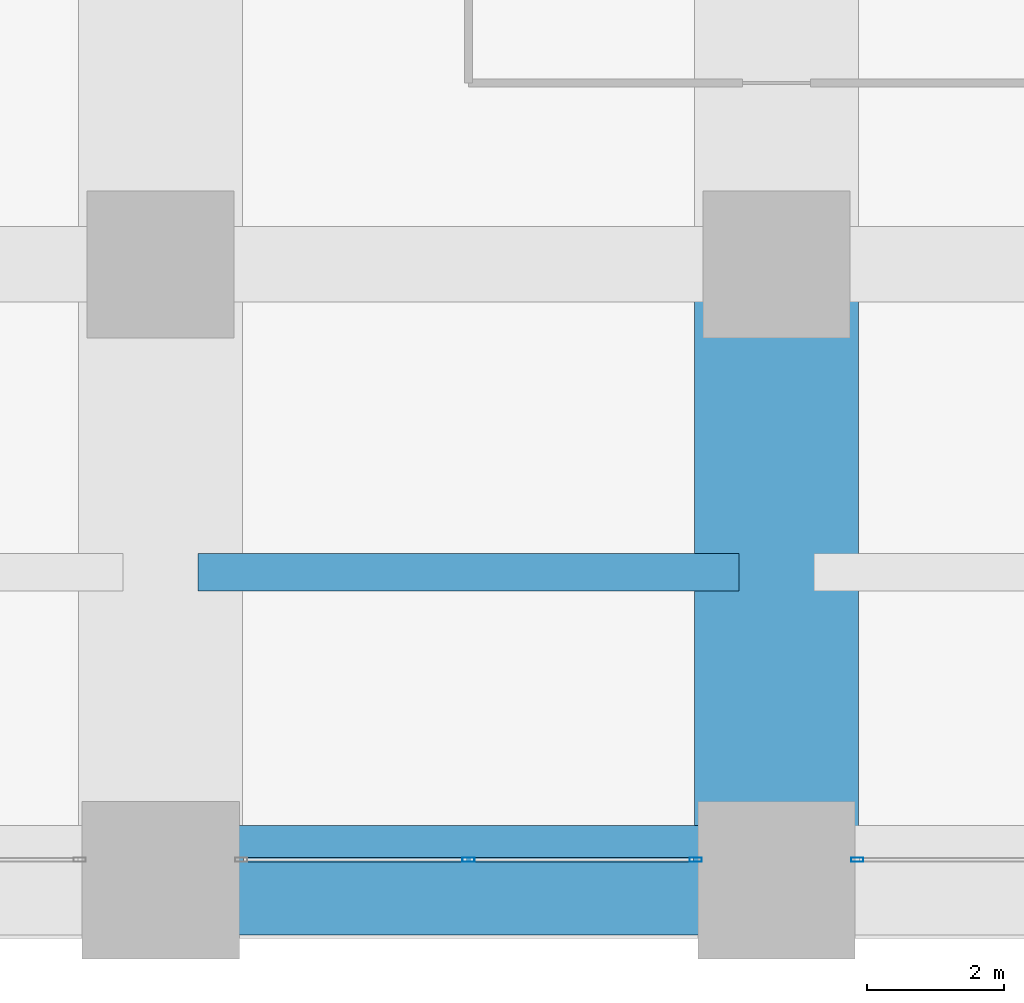
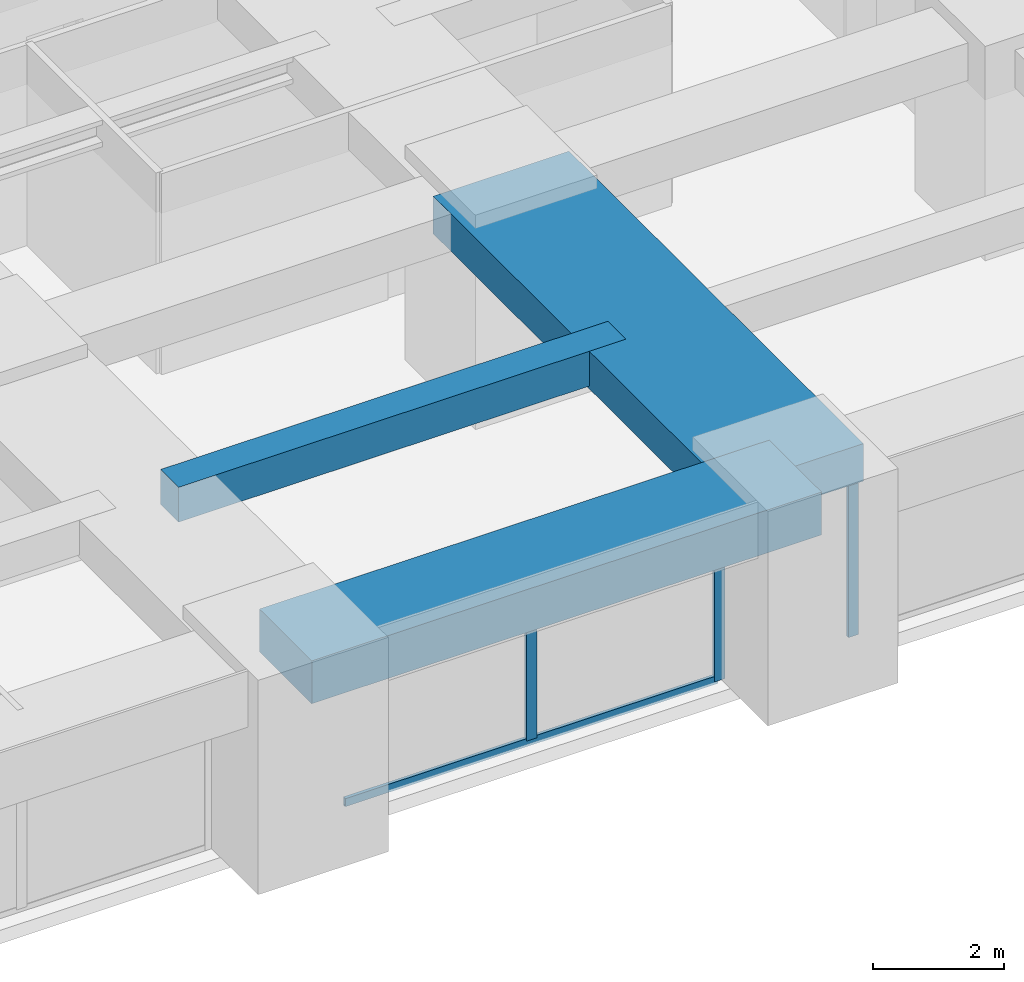
# One storey, part 13 of 44: 4 members, 3 beams, 2 elements without a shape of their own.
"""IFC4 building model written with IfcOpenShell, lengths in metres."""

from ifc_helpers import new_model, si_unit, direction, frame, origin, origin_2d, place, context, subcontext, project, spatial, rectangle, hollow_rectangle, extrude, material, material_profile, profile_set, type_object, element, aggregate, save


model = new_model("IFC4")

# Units and contexts
model_context = context("Model", 3, precision=1e-05, world=origin(), true_north=direction((0.0, 1.0)))
body_context = subcontext(model_context, "Body", "Model", "MODEL_VIEW")
ifc_project = project(units=[si_unit("LENGTHUNIT", "METRE"), si_unit("AREAUNIT", "SQUARE_METRE"), si_unit("VOLUMEUNIT", "CUBIC_METRE"), si_unit("PLANEANGLEUNIT", "RADIAN"), si_unit("MASSUNIT", "GRAM", prefix="KILO")], contexts=[model_context])

# Site, building, storey
site_placement = place(None, origin())
site = spatial("IfcSite", under=ifc_project, at=site_placement, CompositionType="ELEMENT")
building_placement = place(site_placement, origin())
building = spatial("IfcBuilding", under=site, at=building_placement, Name="Zorevar Civic Tower", CompositionType="ELEMENT")
storey_placement = place(building_placement, frame((0.0, 0.0, 63.800048828125)))
storey = spatial("IfcBuildingStorey", under=building, at=storey_placement, Name="L15", CompositionType="ELEMENT", Elevation=63.800048828125)

# Beams
ifc_material_1 = material(Name="Concrete C50/60", Category="concrete")
ifc_material_profile_1 = material_profile(ifc_material_1, rectangle(XDim=2.39990234375, YDim=0.699951171875, at=origin_2d()), Name="RC 2400x700")
ifc_profile_set_1 = profile_set([ifc_material_profile_1], Name="Concrete C50/60")
beam_type_1 = type_object("IfcBeamType", Name="Beam RC 2400x700", PredefinedType="BEAM", material=ifc_profile_set_1)
beam_1_placement = place(storey_placement, frame((45.0, 0.0, 3.39990234375), z_axis=(0.0, 1.0, 0.0), x_axis=(-1.0, 0.0, 0.0)))
element("IfcBeam", 1, at=beam_1_placement, inside=storey, type_object=beam_type_1, Name="Girder L16", PredefinedType="BEAM", context=body_context, shape_type="SweptSolid", body=[
    extrude(rectangle(XDim=2.39990234375, YDim=0.699951171875, at=origin_2d()), origin(), (0.0, 0.0, 1.0), 9.0),
])
ifc_material_2 = material(Name="Concrete C50/60", Category="concrete")
ifc_material_profile_2 = material_profile(ifc_material_2, rectangle(XDim=0.550048828125, YDim=0.64990234375, at=origin_2d()), Name="RC 550x650")
ifc_profile_set_2 = profile_set([ifc_material_profile_2], Name="Concrete C50/60")
beam_type_2 = type_object("IfcBeamType", Name="Beam RC 550x650", PredefinedType="BEAM", material=ifc_profile_set_2)
beam_2_placement = place(storey_placement, frame((36.550048828125, 4.5, 3.425048828125), z_axis=(1.0, 0.0, 0.0), x_axis=(0.0, 1.0, 0.0)))
element("IfcBeam", 2, at=beam_2_placement, inside=storey, type_object=beam_type_2, Name="Secondary beam L16", PredefinedType="BEAM", context=body_context, shape_type="SweptSolid", body=[
    extrude(rectangle(XDim=0.550048828125, YDim=0.64990234375, at=origin_2d()), origin(), (0.0, 0.0, 1.0), 7.89990234375),
])

# Curtain wall, members
ifc_material_3 = material(Name="Dark grey solar-control glass in black aluminium frame", Category="aluminium")
curtain_wall_type = type_object("IfcCurtainWallType", Name="Curtain wall CW2 low zone", PredefinedType="NOTDEFINED", material=ifc_material_3)
curtain_wall_1_placement = place(storey_placement, origin())
curtain_wall_1 = element("IfcCurtainWall", 3, at=curtain_wall_1_placement, inside=storey, type_object=curtain_wall_type, Name="CW2 L15", PredefinedType="NOTDEFINED")
ifc_material_4 = material(Name="Aluminium, black anodised", Category="aluminium")
ifc_material_profile_3 = material_profile(ifc_material_4, hollow_rectangle(XDim=0.06005859375, YDim=0.179931640625, WallThickness=0.00390625, at=origin_2d()), Name="AL 180x60x4")
ifc_profile_set_3 = profile_set([ifc_material_profile_3], Name="Aluminium, black anodised")
member_type_1 = type_object("IfcMemberType", Name="CW2 mullion AL 180x60x4", PredefinedType="MULLION", material=ifc_profile_set_3)
member_1_placement = place(storey_placement, frame((40.5, 0.300048828125, 0.06005859375), z_axis=(0.0, 0.0, 1.0), x_axis=(0.0, 1.0, 0.0)))
member_1 = element("IfcMember", 4, at=member_1_placement, type_object=member_type_1, Name="CW2 mullion 2", PredefinedType="MULLION", context=body_context, shape_type="SweptSolid", body=[
    extrude(hollow_rectangle(XDim=0.06005859375, YDim=0.179931640625, WallThickness=0.00390625, at=origin_2d()), origin(), (0.0, 0.0, 1.0), 2.889892578125),
])
member_2_placement = place(storey_placement, frame((43.820068359375, 0.300048828125, 0.0), z_axis=(0.0, 0.0, 1.0), x_axis=(0.0, 1.0, 0.0)))
member_2 = element("IfcMember", 5, at=member_2_placement, type_object=member_type_1, Name="CW2 mullion 3", PredefinedType="MULLION", context=body_context, shape_type="SweptSolid", body=[
    extrude(hollow_rectangle(XDim=0.06005859375, YDim=0.179931640625, WallThickness=0.00390625, at=origin_2d()), origin(), (0.0, 0.0, 1.0), 2.949951171875),
])

# Curtain wall, member
curtain_wall_2_placement = place(storey_placement, origin())
curtain_wall_2 = element("IfcCurtainWall", 6, at=curtain_wall_2_placement, inside=storey, type_object=curtain_wall_type, Name="CW2 L15", PredefinedType="NOTDEFINED")
member_3_placement = place(storey_placement, frame((46.179931640625, 0.300048828125, 0.0), z_axis=(0.0, 0.0, 1.0), x_axis=(0.0, 1.0, 0.0)))
member_3 = element("IfcMember", 7, at=member_3_placement, type_object=member_type_1, Name="CW2 mullion 1", PredefinedType="MULLION", context=body_context, shape_type="SweptSolid", body=[
    extrude(hollow_rectangle(XDim=0.06005859375, YDim=0.179931640625, WallThickness=0.00390625, at=origin_2d()), origin(), (0.0, 0.0, 1.0), 2.949951171875),
])
aggregate(curtain_wall_2, [member_3])

# Member
ifc_material_5 = material(Name="Aluminium, black anodised", Category="aluminium")
ifc_material_profile_4 = material_profile(ifc_material_5, hollow_rectangle(XDim=0.06005859375, YDim=0.14990234375, WallThickness=0.00390625, at=origin_2d()), Name="AL 150x60x4")
ifc_profile_set_4 = profile_set([ifc_material_profile_4], Name="Aluminium, black anodised")
member_type_2 = type_object("IfcMemberType", Name="CW2 transom AL 150x60x4", PredefinedType="USERDEFINED", material=ifc_profile_set_4)
member_4_placement = place(storey_placement, frame((37.2099609375, 0.300048828125, 0.030029296875), z_axis=(1.0, 0.0, 0.0), x_axis=(0.0, 1.0, 0.0)))
member_4 = element("IfcMember", 8, at=member_4_placement, type_object=member_type_2, Name="CW2 sill transom", ObjectType="TRANSOM", PredefinedType="USERDEFINED", context=body_context, shape_type="SweptSolid", body=[
    extrude(hollow_rectangle(XDim=0.06005859375, YDim=0.14990234375, WallThickness=0.00390625, at=origin_2d()), origin(), (0.0, 0.0, 1.0), 6.580078125),
])

aggregate(curtain_wall_1, [member_1, member_2, member_4])

# Beam
ifc_material_6 = material(Name="Concrete C50/60", Category="concrete")
ifc_material_profile_5 = material_profile(ifc_material_6, rectangle(XDim=1.60009765625, YDim=0.800048828125, at=origin_2d()), Name="RC 1600x800")
ifc_profile_set_5 = profile_set([ifc_material_profile_5], Name="Concrete C50/60")
beam_type_3 = type_object("IfcBeamType", Name="Edge beam RC 1600x800", PredefinedType="SPANDREL", material=ifc_profile_set_5)
beam_3_placement = place(storey_placement, frame((36.0, 0.0, 3.349853515625), z_axis=(1.0, 0.0, 0.0), x_axis=(0.0, 1.0, 0.0)))
element("IfcBeam", 9, at=beam_3_placement, inside=storey, type_object=beam_type_3, Name="Edge beam L16", PredefinedType="SPANDREL", context=body_context, shape_type="SweptSolid", body=[
    extrude(rectangle(XDim=1.60009765625, YDim=0.800048828125, at=origin_2d()), origin(), (0.0, 0.0, 1.0), 9.0),
])

save(model, "model.ifc")
